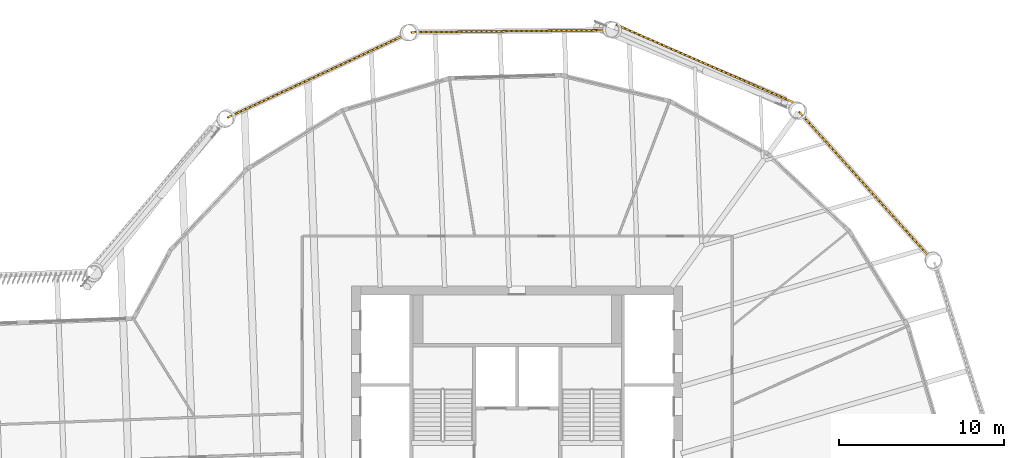
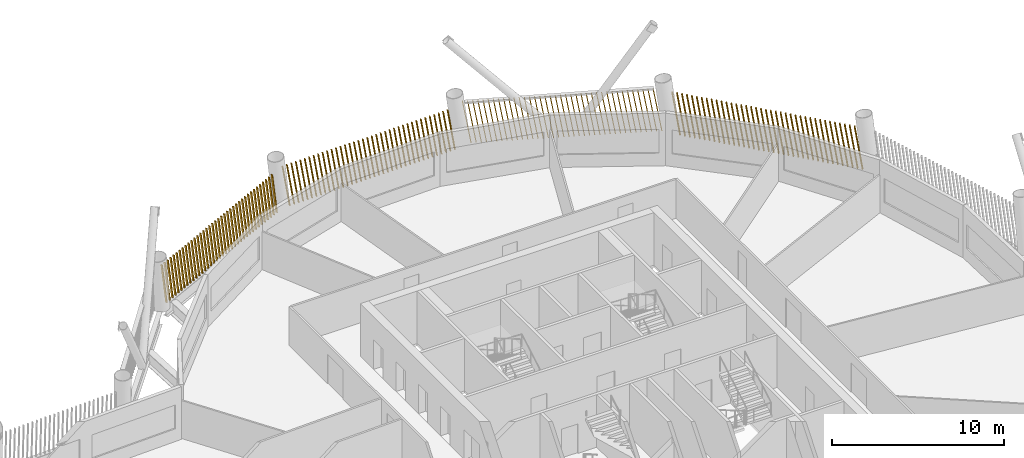
# One storey, part 19 of 20: 4 shading devices.
"""IFC4 building model written with IfcOpenShell, lengths in metres."""

from ifc_helpers import new_model, si_unit, direction, frame, frame_2d, origin, place, context, subcontext, project, spatial, rectangle, composite_profile, extrude, material, type_object, element, save


model = new_model("IFC4")

# Units and contexts
model_context = context("Model", 3, precision=1e-05, world=origin(), true_north=direction((0.0, 1.0)))
body_context = subcontext(model_context, "Body", "Model", "MODEL_VIEW")
ifc_project = project(units=[si_unit("LENGTHUNIT", "METRE"), si_unit("AREAUNIT", "SQUARE_METRE"), si_unit("VOLUMEUNIT", "CUBIC_METRE"), si_unit("PLANEANGLEUNIT", "RADIAN"), si_unit("MASSUNIT", "GRAM", prefix="KILO")], contexts=[model_context])

# Site, building, storey
site_placement = place(None, origin())
site = spatial("IfcSite", under=ifc_project, at=site_placement, CompositionType="ELEMENT")
building_placement = place(site_placement, origin())
building = spatial("IfcBuilding", under=site, at=building_placement, Name="Tarsis Ring Headquarters", CompositionType="ELEMENT")
storey_placement = place(building_placement, frame((0.0, 0.0, 294.199951171875)))
storey = spatial("IfcBuildingStorey", under=building, at=storey_placement, Name="L69", CompositionType="ELEMENT", Elevation=294.199951171875)

# Shading devices
ifc_material = material(Name="Terracotta baguette", Category="masonry")
shading_device_type = type_object("IfcShadingDeviceType", Name="Terracotta baguette screen", PredefinedType="USERDEFINED", material=ifc_material)
shading_device_1_placement = place(storey_placement, frame((24.878662109375, 14.79833984375, 0.0), z_axis=(0.0, 0.0, 1.0), x_axis=(-0.668453608247, 0.743743895822, 0.0)))
element("IfcShadingDevice", 1, at=shading_device_1_placement, inside=storey, type_object=shading_device_type, Name="Baguette screen L69-10", ObjectType="Terracotta baguette screen", PredefinedType="USERDEFINED", context=body_context, shape_type="SweptSolid", body=[
    extrude(composite_profile([rectangle(XDim=0.06005859375, YDim=0.1201171875, at=frame_2d((0.030029296875, 0.0))), rectangle(XDim=0.06005859375, YDim=0.1201171875, at=frame_2d((0.33251953125, 0.0))), rectangle(XDim=0.06005859375, YDim=0.1201171875, at=frame_2d((0.634765625, 0.0))), rectangle(XDim=0.06005859375, YDim=0.1201171875, at=frame_2d((0.937255859375, 0.0))), rectangle(XDim=0.06005859375, YDim=0.1201171875, at=frame_2d((1.239501953125, 0.0))), rectangle(XDim=0.06005859375, YDim=0.1201171875, at=frame_2d((1.5419921875, 0.0))), rectangle(XDim=0.06005859375, YDim=0.1201171875, at=frame_2d((1.844482421875, 0.0))), rectangle(XDim=0.06005859375, YDim=0.1201171875, at=frame_2d((2.146728515625, 0.0))), rectangle(XDim=0.06005859375, YDim=0.1201171875, at=frame_2d((2.44921875, 0.0))), rectangle(XDim=0.06005859375, YDim=0.1201171875, at=frame_2d((2.751708984375, 0.0))), rectangle(XDim=0.06005859375, YDim=0.1201171875, at=frame_2d((3.053955078125, 0.0))), rectangle(XDim=0.06005859375, YDim=0.1201171875, at=frame_2d((3.3564453125, 0.0))), rectangle(XDim=0.06005859375, YDim=0.1201171875, at=frame_2d((3.65869140625, 0.0))), rectangle(XDim=0.06005859375, YDim=0.1201171875, at=frame_2d((3.961181640625, 0.0))), rectangle(XDim=0.06005859375, YDim=0.1201171875, at=frame_2d((4.263671875, 0.0))), rectangle(XDim=0.06005859375, YDim=0.1201171875, at=frame_2d((4.56591796875, 0.0))), rectangle(XDim=0.06005859375, YDim=0.1201171875, at=frame_2d((4.868408203125, 0.0))), rectangle(XDim=0.06005859375, YDim=0.1201171875, at=frame_2d((5.1708984375, 0.0))), rectangle(XDim=0.06005859375, YDim=0.1201171875, at=frame_2d((5.47314453125, 0.0))), rectangle(XDim=0.06005859375, YDim=0.1201171875, at=frame_2d((5.775634765625, 0.0))), rectangle(XDim=0.06005859375, YDim=0.1201171875, at=frame_2d((6.077880859375, 0.0))), rectangle(XDim=0.06005859375, YDim=0.1201171875, at=frame_2d((6.38037109375, 0.0))), rectangle(XDim=0.06005859375, YDim=0.1201171875, at=frame_2d((6.682861328125, 0.0))), rectangle(XDim=0.06005859375, YDim=0.1201171875, at=frame_2d((6.985107421875, 0.0))), rectangle(XDim=0.06005859375, YDim=0.1201171875, at=frame_2d((7.28759765625, 0.0))), rectangle(XDim=0.06005859375, YDim=0.1201171875, at=frame_2d((7.590087890625, 0.0))), rectangle(XDim=0.06005859375, YDim=0.1201171875, at=frame_2d((7.892333984375, 0.0))), rectangle(XDim=0.06005859375, YDim=0.1201171875, at=frame_2d((8.19482421875, 0.0))), rectangle(XDim=0.06005859375, YDim=0.1201171875, at=frame_2d((8.4970703125, 0.0))), rectangle(XDim=0.06005859375, YDim=0.1201171875, at=frame_2d((8.799560546875, 0.0))), rectangle(XDim=0.06005859375, YDim=0.1201171875, at=frame_2d((9.10205078125, 0.0))), rectangle(XDim=0.06005859375, YDim=0.1201171875, at=frame_2d((9.404296875, 0.0))), rectangle(XDim=0.06005859375, YDim=0.1201171875, at=frame_2d((9.706787109375, 0.0))), rectangle(XDim=0.06005859375, YDim=0.1201171875, at=frame_2d((10.00927734375, 0.0))), rectangle(XDim=0.06005859375, YDim=0.1201171875, at=frame_2d((10.3115234375, 0.0))), rectangle(XDim=0.06005859375, YDim=0.1201171875, at=frame_2d((10.614013671875, 0.0))), rectangle(XDim=0.06005859375, YDim=0.1201171875, at=frame_2d((10.916259765625, 0.0))), rectangle(XDim=0.06005859375, YDim=0.1201171875, at=frame_2d((11.21875, 0.0)))]), origin(), (0.164702219034, 0.001438618789, 0.986342288164), 3.0087890625),
])
shading_device_2_placement = place(storey_placement, frame((16.718017578125, 24.080810546875, 0.0), z_axis=(0.0, 0.0, 1.0), x_axis=(-0.915595971873, 0.402074832885, 0.0)))
element("IfcShadingDevice", 2, at=shading_device_2_placement, inside=storey, type_object=shading_device_type, Name="Baguette screen L69-11", ObjectType="Terracotta baguette screen", PredefinedType="USERDEFINED", context=body_context, shape_type="SweptSolid", body=[
    extrude(composite_profile([rectangle(XDim=0.06005859375, YDim=0.1201171875, at=frame_2d((0.030029296875, 0.0))), rectangle(XDim=0.06005859375, YDim=0.1201171875, at=frame_2d((0.33251953125, 0.0))), rectangle(XDim=0.06005859375, YDim=0.1201171875, at=frame_2d((0.634765625, 0.0))), rectangle(XDim=0.06005859375, YDim=0.1201171875, at=frame_2d((0.937255859375, 0.0))), rectangle(XDim=0.06005859375, YDim=0.1201171875, at=frame_2d((1.239501953125, 0.0))), rectangle(XDim=0.06005859375, YDim=0.1201171875, at=frame_2d((1.5419921875, 0.0))), rectangle(XDim=0.06005859375, YDim=0.1201171875, at=frame_2d((1.844482421875, 0.0))), rectangle(XDim=0.06005859375, YDim=0.1201171875, at=frame_2d((2.146728515625, 0.0))), rectangle(XDim=0.06005859375, YDim=0.1201171875, at=frame_2d((2.44921875, 0.0))), rectangle(XDim=0.06005859375, YDim=0.1201171875, at=frame_2d((2.751708984375, 0.0))), rectangle(XDim=0.06005859375, YDim=0.1201171875, at=frame_2d((3.053955078125, 0.0))), rectangle(XDim=0.06005859375, YDim=0.1201171875, at=frame_2d((3.3564453125, 0.0))), rectangle(XDim=0.06005859375, YDim=0.1201171875, at=frame_2d((3.65869140625, 0.0))), rectangle(XDim=0.06005859375, YDim=0.1201171875, at=frame_2d((3.961181640625, 0.0))), rectangle(XDim=0.06005859375, YDim=0.1201171875, at=frame_2d((4.263671875, 0.0))), rectangle(XDim=0.06005859375, YDim=0.1201171875, at=frame_2d((4.56591796875, 0.0))), rectangle(XDim=0.06005859375, YDim=0.1201171875, at=frame_2d((4.868408203125, 0.0))), rectangle(XDim=0.06005859375, YDim=0.1201171875, at=frame_2d((5.1708984375, 0.0))), rectangle(XDim=0.06005859375, YDim=0.1201171875, at=frame_2d((5.47314453125, 0.0))), rectangle(XDim=0.06005859375, YDim=0.1201171875, at=frame_2d((5.775634765625, 0.0))), rectangle(XDim=0.06005859375, YDim=0.1201171875, at=frame_2d((6.077880859375, 0.0))), rectangle(XDim=0.06005859375, YDim=0.1201171875, at=frame_2d((6.38037109375, 0.0))), rectangle(XDim=0.06005859375, YDim=0.1201171875, at=frame_2d((6.682861328125, 0.0))), rectangle(XDim=0.06005859375, YDim=0.1201171875, at=frame_2d((6.985107421875, 0.0))), rectangle(XDim=0.06005859375, YDim=0.1201171875, at=frame_2d((7.28759765625, 0.0))), rectangle(XDim=0.06005859375, YDim=0.1201171875, at=frame_2d((7.590087890625, 0.0))), rectangle(XDim=0.06005859375, YDim=0.1201171875, at=frame_2d((7.892333984375, 0.0))), rectangle(XDim=0.06005859375, YDim=0.1201171875, at=frame_2d((8.19482421875, 0.0))), rectangle(XDim=0.06005859375, YDim=0.1201171875, at=frame_2d((8.4970703125, 0.0))), rectangle(XDim=0.06005859375, YDim=0.1201171875, at=frame_2d((8.799560546875, 0.0))), rectangle(XDim=0.06005859375, YDim=0.1201171875, at=frame_2d((9.10205078125, 0.0))), rectangle(XDim=0.06005859375, YDim=0.1201171875, at=frame_2d((9.404296875, 0.0))), rectangle(XDim=0.06005859375, YDim=0.1201171875, at=frame_2d((9.706787109375, 0.0))), rectangle(XDim=0.06005859375, YDim=0.1201171875, at=frame_2d((10.00927734375, 0.0))), rectangle(XDim=0.06005859375, YDim=0.1201171875, at=frame_2d((10.3115234375, 0.0))), rectangle(XDim=0.06005859375, YDim=0.1201171875, at=frame_2d((10.614013671875, 0.0))), rectangle(XDim=0.06005859375, YDim=0.1201171875, at=frame_2d((10.916259765625, 0.0))), rectangle(XDim=0.06005859375, YDim=0.1201171875, at=frame_2d((11.21875, 0.0)))]), origin(), (0.166816596809, 0.00145423275, 0.985986870215), 3.010009765625),
])
shading_device_3_placement = place(storey_placement, frame((5.31005859375, 28.4560546875, 0.0), z_axis=(0.0, 0.0, 1.0), x_axis=(-0.999934890181, -0.011068669155, 0.0)))
element("IfcShadingDevice", 3, at=shading_device_3_placement, inside=storey, type_object=shading_device_type, Name="Baguette screen L69-12", ObjectType="Terracotta baguette screen", PredefinedType="USERDEFINED", context=body_context, shape_type="SweptSolid", body=[
    extrude(composite_profile([rectangle(XDim=0.06005859375, YDim=0.1201171875, at=frame_2d((0.030029296875, 0.0))), rectangle(XDim=0.06005859375, YDim=0.1201171875, at=frame_2d((0.33251953125, 0.0))), rectangle(XDim=0.06005859375, YDim=0.1201171875, at=frame_2d((0.634765625, 0.0))), rectangle(XDim=0.06005859375, YDim=0.1201171875, at=frame_2d((0.937255859375, 0.0))), rectangle(XDim=0.06005859375, YDim=0.1201171875, at=frame_2d((1.239501953125, 0.0))), rectangle(XDim=0.06005859375, YDim=0.1201171875, at=frame_2d((1.5419921875, 0.0))), rectangle(XDim=0.06005859375, YDim=0.1201171875, at=frame_2d((1.844482421875, 0.0))), rectangle(XDim=0.06005859375, YDim=0.1201171875, at=frame_2d((2.146728515625, 0.0))), rectangle(XDim=0.06005859375, YDim=0.1201171875, at=frame_2d((2.44921875, 0.0))), rectangle(XDim=0.06005859375, YDim=0.1201171875, at=frame_2d((2.751708984375, 0.0))), rectangle(XDim=0.06005859375, YDim=0.1201171875, at=frame_2d((3.053955078125, 0.0))), rectangle(XDim=0.06005859375, YDim=0.1201171875, at=frame_2d((3.3564453125, 0.0))), rectangle(XDim=0.06005859375, YDim=0.1201171875, at=frame_2d((3.65869140625, 0.0))), rectangle(XDim=0.06005859375, YDim=0.1201171875, at=frame_2d((3.961181640625, 0.0))), rectangle(XDim=0.06005859375, YDim=0.1201171875, at=frame_2d((4.263671875, 0.0))), rectangle(XDim=0.06005859375, YDim=0.1201171875, at=frame_2d((4.56591796875, 0.0))), rectangle(XDim=0.06005859375, YDim=0.1201171875, at=frame_2d((4.868408203125, 0.0))), rectangle(XDim=0.06005859375, YDim=0.1201171875, at=frame_2d((5.1708984375, 0.0))), rectangle(XDim=0.06005859375, YDim=0.1201171875, at=frame_2d((5.47314453125, 0.0))), rectangle(XDim=0.06005859375, YDim=0.1201171875, at=frame_2d((5.775634765625, 0.0))), rectangle(XDim=0.06005859375, YDim=0.1201171875, at=frame_2d((6.077880859375, 0.0))), rectangle(XDim=0.06005859375, YDim=0.1201171875, at=frame_2d((6.38037109375, 0.0))), rectangle(XDim=0.06005859375, YDim=0.1201171875, at=frame_2d((6.682861328125, 0.0))), rectangle(XDim=0.06005859375, YDim=0.1201171875, at=frame_2d((6.985107421875, 0.0))), rectangle(XDim=0.06005859375, YDim=0.1201171875, at=frame_2d((7.28759765625, 0.0))), rectangle(XDim=0.06005859375, YDim=0.1201171875, at=frame_2d((7.590087890625, 0.0))), rectangle(XDim=0.06005859375, YDim=0.1201171875, at=frame_2d((7.892333984375, 0.0))), rectangle(XDim=0.06005859375, YDim=0.1201171875, at=frame_2d((8.19482421875, 0.0))), rectangle(XDim=0.06005859375, YDim=0.1201171875, at=frame_2d((8.4970703125, 0.0))), rectangle(XDim=0.06005859375, YDim=0.1201171875, at=frame_2d((8.799560546875, 0.0))), rectangle(XDim=0.06005859375, YDim=0.1201171875, at=frame_2d((9.10205078125, 0.0))), rectangle(XDim=0.06005859375, YDim=0.1201171875, at=frame_2d((9.404296875, 0.0))), rectangle(XDim=0.06005859375, YDim=0.1201171875, at=frame_2d((9.706787109375, 0.0))), rectangle(XDim=0.06005859375, YDim=0.1201171875, at=frame_2d((10.00927734375, 0.0))), rectangle(XDim=0.06005859375, YDim=0.1201171875, at=frame_2d((10.3115234375, 0.0))), rectangle(XDim=0.06005859375, YDim=0.1201171875, at=frame_2d((10.614013671875, 0.0))), rectangle(XDim=0.06005859375, YDim=0.1201171875, at=frame_2d((10.916259765625, 0.0))), rectangle(XDim=0.06005859375, YDim=0.1201171875, at=frame_2d((11.21875, 0.0)))]), origin(), (0.164702573183, 0.001436063239, 0.986342232752), 3.0087890625),
])
shading_device_4_placement = place(storey_placement, frame((-6.891357421875, 28.114990234375, 0.0), z_axis=(0.0, 0.0, 1.0), x_axis=(-0.906478567553, -0.422246337493, 0.0)))
element("IfcShadingDevice", 4, at=shading_device_4_placement, inside=storey, type_object=shading_device_type, Name="Baguette screen L69-13", ObjectType="Terracotta baguette screen", PredefinedType="USERDEFINED", context=body_context, shape_type="SweptSolid", body=[
    extrude(composite_profile([rectangle(XDim=0.06005859375, YDim=0.1201171875, at=frame_2d((0.030029296875, 0.0))), rectangle(XDim=0.06005859375, YDim=0.1201171875, at=frame_2d((0.33251953125, 0.0))), rectangle(XDim=0.06005859375, YDim=0.1201171875, at=frame_2d((0.634765625, 0.0))), rectangle(XDim=0.06005859375, YDim=0.1201171875, at=frame_2d((0.937255859375, 0.0))), rectangle(XDim=0.06005859375, YDim=0.1201171875, at=frame_2d((1.239501953125, 0.0))), rectangle(XDim=0.06005859375, YDim=0.1201171875, at=frame_2d((1.5419921875, 0.0))), rectangle(XDim=0.06005859375, YDim=0.1201171875, at=frame_2d((1.844482421875, 0.0))), rectangle(XDim=0.06005859375, YDim=0.1201171875, at=frame_2d((2.146728515625, 0.0))), rectangle(XDim=0.06005859375, YDim=0.1201171875, at=frame_2d((2.44921875, 0.0))), rectangle(XDim=0.06005859375, YDim=0.1201171875, at=frame_2d((2.751708984375, 0.0))), rectangle(XDim=0.06005859375, YDim=0.1201171875, at=frame_2d((3.053955078125, 0.0))), rectangle(XDim=0.06005859375, YDim=0.1201171875, at=frame_2d((3.3564453125, 0.0))), rectangle(XDim=0.06005859375, YDim=0.1201171875, at=frame_2d((3.65869140625, 0.0))), rectangle(XDim=0.06005859375, YDim=0.1201171875, at=frame_2d((3.961181640625, 0.0))), rectangle(XDim=0.06005859375, YDim=0.1201171875, at=frame_2d((4.263671875, 0.0))), rectangle(XDim=0.06005859375, YDim=0.1201171875, at=frame_2d((4.56591796875, 0.0))), rectangle(XDim=0.06005859375, YDim=0.1201171875, at=frame_2d((4.868408203125, 0.0))), rectangle(XDim=0.06005859375, YDim=0.1201171875, at=frame_2d((5.1708984375, 0.0))), rectangle(XDim=0.06005859375, YDim=0.1201171875, at=frame_2d((5.47314453125, 0.0))), rectangle(XDim=0.06005859375, YDim=0.1201171875, at=frame_2d((5.775634765625, 0.0))), rectangle(XDim=0.06005859375, YDim=0.1201171875, at=frame_2d((6.077880859375, 0.0))), rectangle(XDim=0.06005859375, YDim=0.1201171875, at=frame_2d((6.38037109375, 0.0))), rectangle(XDim=0.06005859375, YDim=0.1201171875, at=frame_2d((6.682861328125, 0.0))), rectangle(XDim=0.06005859375, YDim=0.1201171875, at=frame_2d((6.985107421875, 0.0))), rectangle(XDim=0.06005859375, YDim=0.1201171875, at=frame_2d((7.28759765625, 0.0))), rectangle(XDim=0.06005859375, YDim=0.1201171875, at=frame_2d((7.590087890625, 0.0))), rectangle(XDim=0.06005859375, YDim=0.1201171875, at=frame_2d((7.892333984375, 0.0))), rectangle(XDim=0.06005859375, YDim=0.1201171875, at=frame_2d((8.19482421875, 0.0))), rectangle(XDim=0.06005859375, YDim=0.1201171875, at=frame_2d((8.4970703125, 0.0))), rectangle(XDim=0.06005859375, YDim=0.1201171875, at=frame_2d((8.799560546875, 0.0))), rectangle(XDim=0.06005859375, YDim=0.1201171875, at=frame_2d((9.10205078125, 0.0))), rectangle(XDim=0.06005859375, YDim=0.1201171875, at=frame_2d((9.404296875, 0.0))), rectangle(XDim=0.06005859375, YDim=0.1201171875, at=frame_2d((9.706787109375, 0.0))), rectangle(XDim=0.06005859375, YDim=0.1201171875, at=frame_2d((10.00927734375, 0.0))), rectangle(XDim=0.06005859375, YDim=0.1201171875, at=frame_2d((10.3115234375, 0.0))), rectangle(XDim=0.06005859375, YDim=0.1201171875, at=frame_2d((10.614013671875, 0.0))), rectangle(XDim=0.06005859375, YDim=0.1201171875, at=frame_2d((10.916259765625, 0.0))), rectangle(XDim=0.06005859375, YDim=0.1201171875, at=frame_2d((11.21875, 0.0)))]), origin(), (0.164703002875, 0.001436699017, 0.986342160074), 3.0087890625),
])

save(model, "model.ifc")
